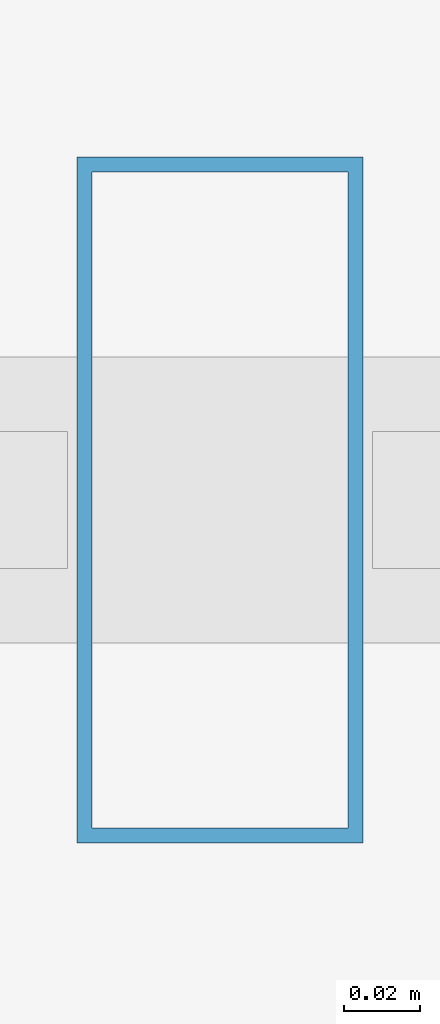
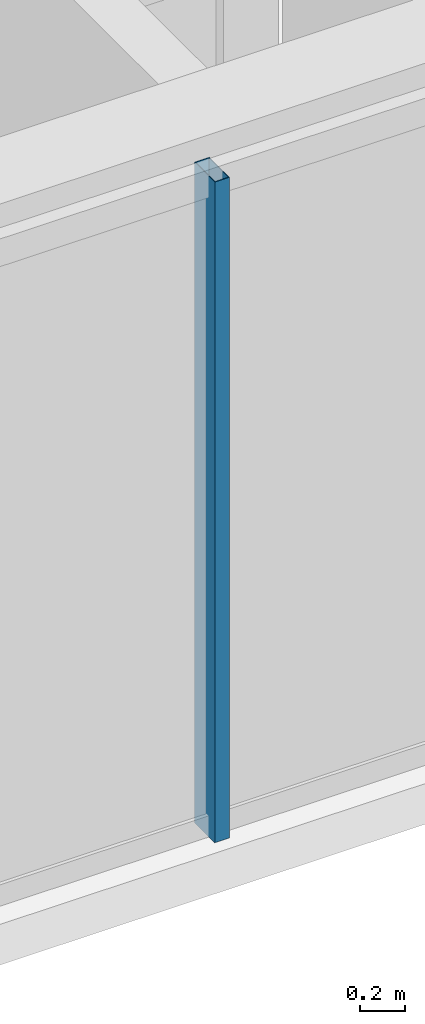
# One storey, part 3 of 33: 1 member, 1 element without a shape of its own.
"""IFC4 building model written with IfcOpenShell, lengths in metres."""

from ifc_helpers import new_model, si_unit, direction, frame, origin, origin_2d, place, context, subcontext, project, spatial, hollow_rectangle, extrude, material, layer, layer_set, material_profile, profile_set, type_object, element, aggregate, save


model = new_model("IFC4")

# Units and contexts
model_context = context("Model", 3, precision=1e-05, world=origin(), true_north=direction((0.0, 1.0)))
body_context = subcontext(model_context, "Body", "Model", "MODEL_VIEW")
ifc_project = project(units=[si_unit("LENGTHUNIT", "METRE"), si_unit("AREAUNIT", "SQUARE_METRE"), si_unit("VOLUMEUNIT", "CUBIC_METRE"), si_unit("PLANEANGLEUNIT", "RADIAN"), si_unit("MASSUNIT", "GRAM", prefix="KILO")], contexts=[model_context])

# Site, building, storey
site_placement = place(None, origin())
site = spatial("IfcSite", under=ifc_project, at=site_placement, CompositionType="ELEMENT")
building_placement = place(site_placement, origin())
building = spatial("IfcBuilding", under=site, at=building_placement, Name="Ndaravel Arena Tower", CompositionType="ELEMENT")
storey_placement = place(building_placement, frame((0.0, 0.0, 89.199951171875)))
storey = spatial("IfcBuildingStorey", under=building, at=storey_placement, Name="L20", CompositionType="ELEMENT", Elevation=89.199951171875)

# Curtain wall, member
ifc_material_1 = material(Name="Aluminium", Category="aluminium")
ifc_layer = layer(ifc_material_1, 0.179931640625)
ifc_layer_set = layer_set([ifc_layer], Name="Aluminium")
curtain_wall_type = type_object("IfcCurtainWallType", Name="CW-SYS-03", PredefinedType="NOTDEFINED", material=ifc_layer_set)
curtain_wall_placement = place(storey_placement, origin())
curtain_wall = element("IfcCurtainWall", 1, at=curtain_wall_placement, inside=storey, type_object=curtain_wall_type, Name="L20 Faceted Crystal Curtain Wall CW-L20-E01", PredefinedType="NOTDEFINED")
ifc_material_2 = material(Name="Aluminium", Category="aluminium")
ifc_material_profile = material_profile(ifc_material_2, hollow_rectangle(XDim=0.074951171875, YDim=0.179931640625, WallThickness=0.00390625, at=origin_2d()), Name="CW MULLION 75x180x4")
ifc_profile_set = profile_set([ifc_material_profile], Name="Aluminium")
member_type = type_object("IfcMemberType", Name="MEM-CW-MUL180", PredefinedType="MULLION", material=ifc_profile_set)
member_placement = place(storey_placement, frame((30.350830078125, 5.159912109375, 0.0), z_axis=(0.0, 0.0, 1.0), x_axis=(1.0, 0.0, 0.0)))
member = element("IfcMember", 2, at=member_placement, type_object=member_type, Name="CW-L20-E01 Mullion 01", PredefinedType="MULLION", context=body_context, shape_type="SweptSolid", body=[
    extrude(hollow_rectangle(XDim=0.074951171875, YDim=0.179931640625, WallThickness=0.00390625, at=origin_2d()), origin(), (0.0, 0.0, 1.0), 3.580078125),
])
aggregate(curtain_wall, [member])

save(model, "model.ifc")
